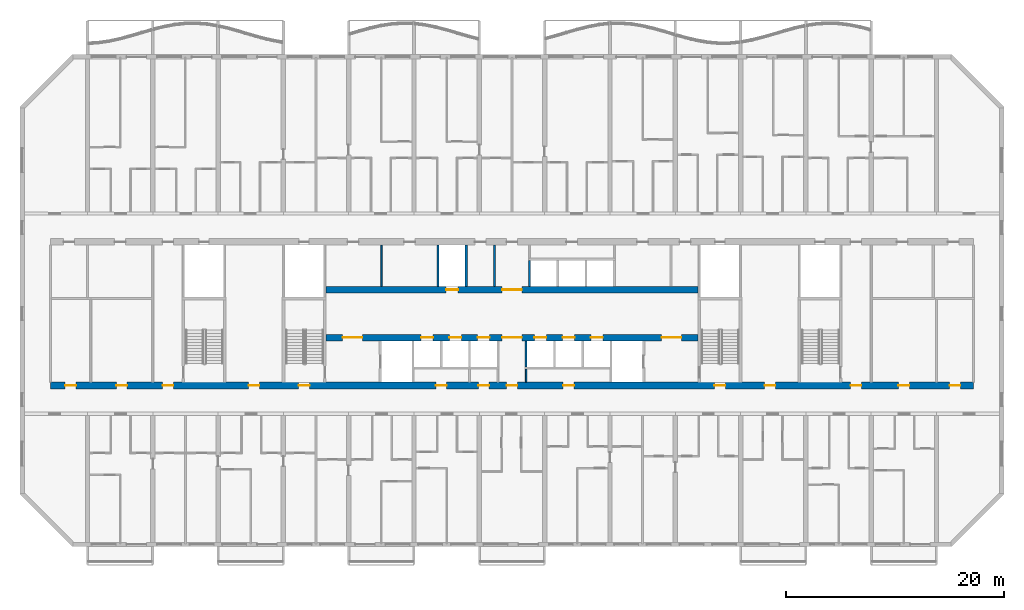
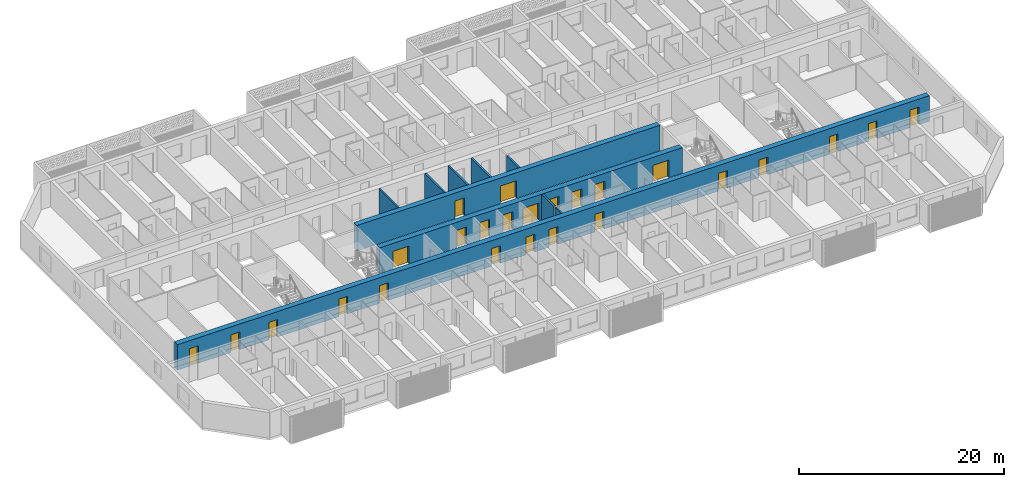
# One storey, part 7 of 39: 25 doors, 10 walls, 25 openings.
"""IFC4 building model written with IfcOpenShell, lengths in metres."""

from ifc_helpers import new_model, si_unit, direction, frame, frame_2d, origin, place, context, subcontext, project, spatial, rectangle, extrude, material, layer, layer_set, type_object, element, fill, save


model = new_model("IFC4")

# Units and contexts
model_context = context("Model", 3, precision=1e-05, world=origin(), true_north=direction((0.0, 1.0)))
body_context = subcontext(model_context, "Body", "Model", "MODEL_VIEW")
ifc_project = project(units=[si_unit("LENGTHUNIT", "METRE"), si_unit("AREAUNIT", "SQUARE_METRE"), si_unit("VOLUMEUNIT", "CUBIC_METRE"), si_unit("PLANEANGLEUNIT", "RADIAN"), si_unit("MASSUNIT", "GRAM", prefix="KILO")], contexts=[model_context])

# Site, building, storey
site_placement = place(None, origin())
site = spatial("IfcSite", under=ifc_project, at=site_placement, CompositionType="ELEMENT")
building_placement = place(site_placement, origin())
building = spatial("IfcBuilding", under=site, at=building_placement, Name="Poui Terraces", CompositionType="ELEMENT")
storey_placement = place(building_placement, frame((0.0, 0.0, 59.699951171875)))
storey = spatial("IfcBuildingStorey", under=building, at=storey_placement, Name="L16", CompositionType="ELEMENT", Elevation=59.699951171875)

# Wall, openings, doors
ifc_material_1 = material(Name="Concrete 80 MPa", Category="concrete")
ifc_layer_1 = layer(ifc_material_1, 0.60009765625)
ifc_layer_set_1 = layer_set([ifc_layer_1], Name="Concrete 80 MPa")
wall_type_1 = type_object("IfcWallType", Name="CORE WALL 600 80 MPA", PredefinedType="SOLIDWALL", material=ifc_layer_set_1)
wall_1_placement = place(storey_placement, frame((33.925048828125, 19.0, 0.0), z_axis=(0.0, 0.0, 1.0), x_axis=(1.0, 0.0, 0.0)))
wall_1 = element("IfcWall", 1, at=wall_1_placement, inside=storey, type_object=wall_type_1, Name="CORE WALL", PredefinedType="SOLIDWALL", context=body_context, shape_type="SweptSolid", body=[
    extrude(rectangle(XDim=34.14990234375, YDim=0.60009765625, at=frame_2d((17.074951171875, 0.0))), origin(), (0.0, 0.0, 1.0), 3.050048828125),
])
opening_1_placement = place(wall_1_placement, frame((16.175048828125, 0.0, 0.0)))
opening_1 = element("IfcOpeningElement", 2, at=opening_1_placement, cuts=wall_1, Name="Opening FDD60", PredefinedType="OPENING", context=body_context, shape_type="SweptSolid", body=[
    extrude(rectangle(XDim=1.800048828125, YDim=2.10009765625, at=frame_2d((0.89990234375, 1.050048828125))), frame((0.0, 0.31005859375, 0.0), z_axis=(0.0, -1.0, 0.0), x_axis=(1.0, 0.0, 0.0)), (0.0, 0.0, 1.0), 0.6201171875),
])
opening_2_placement = place(wall_1_placement, frame((1.52490234375, 0.0, 0.0)))
opening_2 = element("IfcOpeningElement", 3, at=opening_2_placement, cuts=wall_1, Name="Opening FDD60", PredefinedType="OPENING", context=body_context, shape_type="SweptSolid", body=[
    extrude(rectangle(XDim=1.800048828125, YDim=2.10009765625, at=frame_2d((0.89990234375, 1.050048828125))), frame((0.0, 0.31005859375, 0.0), z_axis=(0.0, -1.0, 0.0), x_axis=(1.0, 0.0, 0.0)), (0.0, 0.0, 1.0), 0.6201171875),
])
opening_3_placement = place(wall_1_placement, frame((8.72509765625, 0.0, 0.0)))
opening_3 = element("IfcOpeningElement", 4, at=opening_3_placement, cuts=wall_1, Name="Opening LD", PredefinedType="OPENING", context=body_context, shape_type="SweptSolid", body=[
    extrude(rectangle(XDim=1.10009765625, YDim=2.10009765625, at=frame_2d((0.550048828125, 1.050048828125))), frame((0.0, 0.31005859375, 0.0), z_axis=(0.0, -1.0, 0.0), x_axis=(1.0, 0.0, 0.0)), (0.0, 0.0, 1.0), 0.6201171875),
])
opening_4_placement = place(wall_1_placement, frame((11.324951171875, 0.0, 0.0)))
opening_4 = element("IfcOpeningElement", 5, at=opening_4_placement, cuts=wall_1, Name="Opening LD", PredefinedType="OPENING", context=body_context, shape_type="SweptSolid", body=[
    extrude(rectangle(XDim=1.10009765625, YDim=2.10009765625, at=frame_2d((0.550048828125, 1.050048828125))), frame((0.0, 0.31005859375, 0.0), z_axis=(0.0, -1.0, 0.0), x_axis=(1.0, 0.0, 0.0)), (0.0, 0.0, 1.0), 0.6201171875),
])
opening_5_placement = place(wall_1_placement, frame((13.925048828125, 0.0, 0.0)))
opening_5 = element("IfcOpeningElement", 6, at=opening_5_placement, cuts=wall_1, Name="Opening LD", PredefinedType="OPENING", context=body_context, shape_type="SweptSolid", body=[
    extrude(rectangle(XDim=1.10009765625, YDim=2.10009765625, at=frame_2d((0.550048828125, 1.050048828125))), frame((0.0, 0.31005859375, 0.0), z_axis=(0.0, -1.0, 0.0), x_axis=(1.0, 0.0, 0.0)), (0.0, 0.0, 1.0), 0.6201171875),
])
opening_6_placement = place(wall_1_placement, frame((19.125, 0.0, 0.0)))
opening_6 = element("IfcOpeningElement", 7, at=opening_6_placement, cuts=wall_1, Name="Opening LD", PredefinedType="OPENING", context=body_context, shape_type="SweptSolid", body=[
    extrude(rectangle(XDim=1.10009765625, YDim=2.10009765625, at=frame_2d((0.550048828125, 1.050048828125))), frame((0.0, 0.31005859375, 0.0), z_axis=(0.0, -1.0, 0.0), x_axis=(1.0, 0.0, 0.0)), (0.0, 0.0, 1.0), 0.6201171875),
])
opening_7_placement = place(wall_1_placement, frame((21.72509765625, 0.0, 0.0)))
opening_7 = element("IfcOpeningElement", 8, at=opening_7_placement, cuts=wall_1, Name="Opening LD", PredefinedType="OPENING", context=body_context, shape_type="SweptSolid", body=[
    extrude(rectangle(XDim=1.10009765625, YDim=2.10009765625, at=frame_2d((0.550048828125, 1.050048828125))), frame((0.0, 0.31005859375, 0.0), z_axis=(0.0, -1.0, 0.0), x_axis=(1.0, 0.0, 0.0)), (0.0, 0.0, 1.0), 0.6201171875),
])
opening_8_placement = place(wall_1_placement, frame((24.324951171875, 0.0, 0.0)))
opening_8 = element("IfcOpeningElement", 9, at=opening_8_placement, cuts=wall_1, Name="Opening LD", PredefinedType="OPENING", context=body_context, shape_type="SweptSolid", body=[
    extrude(rectangle(XDim=1.10009765625, YDim=2.10009765625, at=frame_2d((0.550048828125, 1.050048828125))), frame((0.0, 0.31005859375, 0.0), z_axis=(0.0, -1.0, 0.0), x_axis=(1.0, 0.0, 0.0)), (0.0, 0.0, 1.0), 0.6201171875),
])
opening_9_placement = place(wall_1_placement, frame((30.824951171875, 0.0, 0.0)))
opening_9 = element("IfcOpeningElement", 10, at=opening_9_placement, cuts=wall_1, Name="Opening FDD60", PredefinedType="OPENING", context=body_context, shape_type="SweptSolid", body=[
    extrude(rectangle(XDim=1.800048828125, YDim=2.10009765625, at=frame_2d((0.89990234375, 1.050048828125))), frame((0.0, 0.31005859375, 0.0), z_axis=(0.0, -1.0, 0.0), x_axis=(1.0, 0.0, 0.0)), (0.0, 0.0, 1.0), 0.6201171875),
])
ifc_material_2 = material(Name="Steel fire door", Category="steel")
door_type_1 = type_object("IfcDoorType", Name="DOUBLE LOBBY FIRE DOOR 1800 X 2100", OperationType="DOUBLE_DOOR_SINGLE_SWING", PredefinedType="DOOR", material=ifc_material_2)
door_1_placement = place(opening_1_placement, frame((1.800048828125, 0.0, 0.0), z_axis=(0.0, 0.0, 1.0), x_axis=(-1.0, 0.0, 0.0)))
door_1 = element("IfcDoor", 11, at=door_1_placement, inside=storey, type_object=door_type_1, Name="DOUBLE LOBBY FIRE DOOR 140", OperationType="DOUBLE_DOOR_SINGLE_SWING", OverallHeight=2.10009765625, OverallWidth=1.800048828125, PredefinedType="DOOR", context=body_context, shape_type="SweptSolid", body=[
    extrude(rectangle(XDim=1.800048828125, YDim=2.10009765625, at=frame_2d((0.89990234375, 1.050048828125))), frame((0.0, 0.02490234375, 0.0), z_axis=(0.0, -1.0, 0.0), x_axis=(1.0, 0.0, 0.0)), (0.0, 0.0, 1.0), 0.050048828125),
])
fill(opening_1, door_1)
door_2_placement = place(opening_2_placement, origin())
door_2 = element("IfcDoor", 12, at=door_2_placement, inside=storey, type_object=door_type_1, Name="DOUBLE LOBBY FIRE DOOR 141", OperationType="DOUBLE_DOOR_SINGLE_SWING", OverallHeight=2.10009765625, OverallWidth=1.800048828125, PredefinedType="DOOR", context=body_context, shape_type="SweptSolid", body=[
    extrude(rectangle(XDim=1.800048828125, YDim=2.10009765625, at=frame_2d((0.89990234375, 1.050048828125))), frame((0.0, 0.02490234375, 0.0), z_axis=(0.0, -1.0, 0.0), x_axis=(1.0, 0.0, 0.0)), (0.0, 0.0, 1.0), 0.050048828125),
])
fill(opening_2, door_2)
door_3_placement = place(opening_9_placement, origin())
door_3 = element("IfcDoor", 13, at=door_3_placement, inside=storey, type_object=door_type_1, Name="DOUBLE LOBBY FIRE DOOR 149", OperationType="DOUBLE_DOOR_SINGLE_SWING", OverallHeight=2.10009765625, OverallWidth=1.800048828125, PredefinedType="DOOR", context=body_context, shape_type="SweptSolid", body=[
    extrude(rectangle(XDim=1.800048828125, YDim=2.10009765625, at=frame_2d((0.89990234375, 1.050048828125))), frame((0.0, 0.02490234375, 0.0), z_axis=(0.0, -1.0, 0.0), x_axis=(1.0, 0.0, 0.0)), (0.0, 0.0, 1.0), 0.050048828125),
])
fill(opening_9, door_3)
ifc_material_3 = material(Name="Stainless steel sliding door", Category="steel")
door_type_2 = type_object("IfcDoorType", Name="LIFT LANDING DOOR 1100 X 2100", OperationType="DOUBLE_DOOR_SLIDING", PredefinedType="DOOR", material=ifc_material_3)
door_4_placement = place(opening_3_placement, origin())
door_4 = element("IfcDoor", 14, at=door_4_placement, inside=storey, type_object=door_type_2, Name="LANDING DOOR", OperationType="DOUBLE_DOOR_SLIDING", OverallHeight=2.10009765625, OverallWidth=1.10009765625, PredefinedType="DOOR", context=body_context, shape_type="SweptSolid", body=[
    extrude(rectangle(XDim=1.10009765625, YDim=2.10009765625, at=frame_2d((0.550048828125, 1.050048828125))), frame((0.0, 0.02490234375, 0.0), z_axis=(0.0, -1.0, 0.0), x_axis=(1.0, 0.0, 0.0)), (0.0, 0.0, 1.0), 0.050048828125),
])
fill(opening_3, door_4)
door_5_placement = place(opening_4_placement, origin())
door_5 = element("IfcDoor", 15, at=door_5_placement, inside=storey, type_object=door_type_2, Name="LANDING DOOR", OperationType="DOUBLE_DOOR_SLIDING", OverallHeight=2.10009765625, OverallWidth=1.10009765625, PredefinedType="DOOR", context=body_context, shape_type="SweptSolid", body=[
    extrude(rectangle(XDim=1.10009765625, YDim=2.10009765625, at=frame_2d((0.550048828125, 1.050048828125))), frame((0.0, 0.02490234375, 0.0), z_axis=(0.0, -1.0, 0.0), x_axis=(1.0, 0.0, 0.0)), (0.0, 0.0, 1.0), 0.050048828125),
])
fill(opening_4, door_5)
door_6_placement = place(opening_5_placement, origin())
door_6 = element("IfcDoor", 16, at=door_6_placement, inside=storey, type_object=door_type_2, Name="LANDING DOOR", OperationType="DOUBLE_DOOR_SLIDING", OverallHeight=2.10009765625, OverallWidth=1.10009765625, PredefinedType="DOOR", context=body_context, shape_type="SweptSolid", body=[
    extrude(rectangle(XDim=1.10009765625, YDim=2.10009765625, at=frame_2d((0.550048828125, 1.050048828125))), frame((0.0, 0.02490234375, 0.0), z_axis=(0.0, -1.0, 0.0), x_axis=(1.0, 0.0, 0.0)), (0.0, 0.0, 1.0), 0.050048828125),
])
fill(opening_5, door_6)
door_7_placement = place(opening_6_placement, origin())
door_7 = element("IfcDoor", 17, at=door_7_placement, inside=storey, type_object=door_type_2, Name="LANDING DOOR", OperationType="DOUBLE_DOOR_SLIDING", OverallHeight=2.10009765625, OverallWidth=1.10009765625, PredefinedType="DOOR", context=body_context, shape_type="SweptSolid", body=[
    extrude(rectangle(XDim=1.10009765625, YDim=2.10009765625, at=frame_2d((0.550048828125, 1.050048828125))), frame((0.0, 0.02490234375, 0.0), z_axis=(0.0, -1.0, 0.0), x_axis=(1.0, 0.0, 0.0)), (0.0, 0.0, 1.0), 0.050048828125),
])
fill(opening_6, door_7)
door_8_placement = place(opening_7_placement, origin())
door_8 = element("IfcDoor", 18, at=door_8_placement, inside=storey, type_object=door_type_2, Name="LANDING DOOR", OperationType="DOUBLE_DOOR_SLIDING", OverallHeight=2.10009765625, OverallWidth=1.10009765625, PredefinedType="DOOR", context=body_context, shape_type="SweptSolid", body=[
    extrude(rectangle(XDim=1.10009765625, YDim=2.10009765625, at=frame_2d((0.550048828125, 1.050048828125))), frame((0.0, 0.02490234375, 0.0), z_axis=(0.0, -1.0, 0.0), x_axis=(1.0, 0.0, 0.0)), (0.0, 0.0, 1.0), 0.050048828125),
])
fill(opening_7, door_8)
door_9_placement = place(opening_8_placement, origin())
door_9 = element("IfcDoor", 19, at=door_9_placement, inside=storey, type_object=door_type_2, Name="LANDING DOOR", OperationType="DOUBLE_DOOR_SLIDING", OverallHeight=2.10009765625, OverallWidth=1.10009765625, PredefinedType="DOOR", context=body_context, shape_type="SweptSolid", body=[
    extrude(rectangle(XDim=1.10009765625, YDim=2.10009765625, at=frame_2d((0.550048828125, 1.050048828125))), frame((0.0, 0.02490234375, 0.0), z_axis=(0.0, -1.0, 0.0), x_axis=(1.0, 0.0, 0.0)), (0.0, 0.0, 1.0), 0.050048828125),
])
fill(opening_8, door_9)

wall_2_placement = place(storey_placement, frame((33.925048828125, 23.39990234375, 0.0), z_axis=(0.0, 0.0, 1.0), x_axis=(1.0, 0.0, 0.0)))
wall_2 = element("IfcWall", 20, at=wall_2_placement, inside=storey, type_object=wall_type_1, Name="CORE WALL", PredefinedType="SOLIDWALL", context=body_context, shape_type="SweptSolid", body=[
    extrude(rectangle(XDim=34.14990234375, YDim=0.60009765625, at=frame_2d((17.074951171875, 0.0))), origin(), (0.0, 0.0, 1.0), 3.050048828125),
])
opening_10_placement = place(wall_2_placement, frame((16.175048828125, 0.0, 0.0)))
opening_10 = element("IfcOpeningElement", 21, at=opening_10_placement, cuts=wall_2, Name="Opening FDD60", PredefinedType="OPENING", context=body_context, shape_type="SweptSolid", body=[
    extrude(rectangle(XDim=1.800048828125, YDim=2.10009765625, at=frame_2d((0.89990234375, 1.050048828125))), frame((0.0, 0.31005859375, 0.0), z_axis=(0.0, -1.0, 0.0), x_axis=(1.0, 0.0, 0.0)), (0.0, 0.0, 1.0), 0.6201171875),
])
opening_11_placement = place(wall_2_placement, frame((11.02490234375, 0.0, 0.0)))
opening_11 = element("IfcOpeningElement", 22, at=opening_11_placement, cuts=wall_2, Name="Opening LD", PredefinedType="OPENING", context=body_context, shape_type="SweptSolid", body=[
    extrude(rectangle(XDim=1.10009765625, YDim=2.10009765625, at=frame_2d((0.550048828125, 1.050048828125))), frame((0.0, 0.31005859375, 0.0), z_axis=(0.0, -1.0, 0.0), x_axis=(1.0, 0.0, 0.0)), (0.0, 0.0, 1.0), 0.6201171875),
])
door_10_placement = place(opening_10_placement, origin())
door_10 = element("IfcDoor", 23, at=door_10_placement, inside=storey, type_object=door_type_1, Name="DOUBLE LOBBY FIRE DOOR 139", OperationType="DOUBLE_DOOR_SINGLE_SWING", OverallHeight=2.10009765625, OverallWidth=1.800048828125, PredefinedType="DOOR", context=body_context, shape_type="SweptSolid", body=[
    extrude(rectangle(XDim=1.800048828125, YDim=2.10009765625, at=frame_2d((0.89990234375, 1.050048828125))), frame((0.0, 0.02490234375, 0.0), z_axis=(0.0, -1.0, 0.0), x_axis=(1.0, 0.0, 0.0)), (0.0, 0.0, 1.0), 0.050048828125),
])
fill(opening_10, door_10)
door_11_placement = place(opening_11_placement, origin())
door_11 = element("IfcDoor", 24, at=door_11_placement, inside=storey, type_object=door_type_2, Name="LANDING DOOR", OperationType="DOUBLE_DOOR_SLIDING", OverallHeight=2.10009765625, OverallWidth=1.10009765625, PredefinedType="DOOR", context=body_context, shape_type="SweptSolid", body=[
    extrude(rectangle(XDim=1.10009765625, YDim=2.10009765625, at=frame_2d((0.550048828125, 1.050048828125))), frame((0.0, 0.02490234375, 0.0), z_axis=(0.0, -1.0, 0.0), x_axis=(1.0, 0.0, 0.0)), (0.0, 0.0, 1.0), 0.050048828125),
])
fill(opening_11, door_11)

# Walls
ifc_material_4 = material(Name="Fire-rated plasterboard wall")
ifc_layer_2 = layer(ifc_material_4, 0.14990234375)
ifc_layer_set_2 = layer_set([ifc_layer_2], Name="Fire-rated plasterboard wall")
wall_type_2 = type_object("IfcWallType", Name="CORRIDOR WALL 150", PredefinedType="PARTITIONING", material=ifc_layer_set_2)
wall_3_placement = place(storey_placement, frame((52.300048828125, 14.909912109375, 0.0), z_axis=(0.0, 0.0, 1.0), x_axis=(0.0, 1.0, 0.0)))
element("IfcWall", 25, at=wall_3_placement, inside=storey, type_object=wall_type_2, Name="CORRIDOR WALL 150", PredefinedType="PARTITIONING", context=body_context, shape_type="SweptSolid", body=[
    extrude(rectangle(XDim=1.190185546875, YDim=0.14990234375, at=frame_2d((0.59521484375, 0.0))), origin(), (0.0, 0.0, 1.0), 3.050048828125),
])
ifc_material_5 = material(Name="Plasterboard partition")
ifc_layer_3 = layer(ifc_material_5, 0.14990234375)
ifc_layer_set_3 = layer_set([ifc_layer_3], Name="Plasterboard partition")
wall_type_3 = type_object("IfcWallType", Name="PARTITION WALL 150", PredefinedType="PARTITIONING", material=ifc_layer_set_3)
wall_4_placement = place(storey_placement, frame((39.0, 23.7099609375, 0.0), z_axis=(0.0, 0.0, 1.0), x_axis=(0.0, 1.0, 0.0)))
element("IfcWall", 26, at=wall_4_placement, inside=storey, type_object=wall_type_3, Name="PARTITION WALL 150", PredefinedType="PARTITIONING", context=body_context, shape_type="SweptSolid", body=[
    extrude(rectangle(XDim=3.780029296875, YDim=0.14990234375, at=frame_2d((1.89013671875, 0.0))), origin(), (0.0, 0.0, 1.0), 3.050048828125),
])
ifc_material_6 = material(Name="Fire-rated masonry wall", Category="masonry")
ifc_layer_4 = layer(ifc_material_6, 0.199951171875)
ifc_layer_set_4 = layer_set([ifc_layer_4], Name="Fire-rated masonry wall")
wall_type_4 = type_object("IfcWallType", Name="PLANT ROOM WALL 200", PredefinedType="PARTITIONING", material=ifc_layer_set_4)
wall_5_placement = place(storey_placement, frame((49.39990234375, 23.7099609375, 0.0), z_axis=(0.0, 0.0, 1.0), x_axis=(0.0, 1.0, 0.0)))
element("IfcWall", 27, at=wall_5_placement, inside=storey, type_object=wall_type_4, Name="PLANT ROOM WALL 200", PredefinedType="PARTITIONING", context=body_context, shape_type="SweptSolid", body=[
    extrude(rectangle(XDim=3.780029296875, YDim=0.199951171875, at=frame_2d((1.89013671875, 0.0))), origin(), (0.0, 0.0, 1.0), 3.050048828125),
])
ifc_material_7 = material(Name="Fire-rated masonry shaft wall", Category="masonry")
ifc_layer_5 = layer(ifc_material_7, 0.199951171875)
ifc_layer_set_5 = layer_set([ifc_layer_5], Name="Fire-rated masonry shaft wall")
wall_type_5 = type_object("IfcWallType", Name="SHAFT WALL 200", PredefinedType="PARTITIONING", material=ifc_layer_set_5)
for number, where, z_axis, x_axis, name in (
    (28, (44.199951171875, 23.7099609375, 0.0), (0.0, 0.0, 1.0), (0.0, 1.0, 0.0), "SHAFT WALL 200"),
    (29, (46.800048828125, 23.7099609375, 0.0), (0.0, 0.0, 1.0), (0.0, 1.0, 0.0), "SHAFT WALL 200"),
):
    element("IfcWall", number, at=place(storey_placement, frame(where, z_axis=z_axis, x_axis=x_axis)), inside=storey, type_object=wall_type_5, Name=name, PredefinedType="PARTITIONING", context=body_context, shape_type="SweptSolid", body=[
        extrude(rectangle(XDim=3.780029296875, YDim=0.199951171875, at=frame_2d((1.89013671875, 0.0))), origin(), (0.0, 0.0, 1.0), 3.050048828125),
    ])
wall_6_placement = place(storey_placement, frame((52.300048828125, 16.300048828125, 0.0), z_axis=(0.0, 0.0, 1.0), x_axis=(0.0, 1.0, 0.0)))
element("IfcWall", 30, at=wall_6_placement, inside=storey, type_object=wall_type_5, Name="SHAFT WALL 200", PredefinedType="PARTITIONING", context=body_context, shape_type="SweptSolid", body=[
    extrude(rectangle(XDim=2.389892578125, YDim=0.199951171875, at=frame_2d((1.19482421875, 0.0))), origin(), (0.0, 0.0, 1.0), 3.050048828125),
])
wall_7_placement = place(storey_placement, frame((52.60009765625, 23.7099609375, 0.0), z_axis=(0.0, 0.0, 1.0), x_axis=(0.0, 1.0, 0.0)))
element("IfcWall", 31, at=wall_7_placement, inside=storey, type_object=wall_type_5, Name="SHAFT WALL 200", PredefinedType="PARTITIONING", context=body_context, shape_type="SweptSolid", body=[
    extrude(rectangle(XDim=2.39013671875, YDim=0.199951171875, at=frame_2d((1.195068359375, 0.0))), origin(), (0.0, 0.0, 1.0), 3.050048828125),
])

# Wall, openings, doors
ifc_layer_6 = layer(ifc_material_1, 0.60009765625)
ifc_layer_set_6 = layer_set([ifc_layer_6], Name="Concrete 80 MPa")
wall_type_6 = type_object("IfcWallType", Name="SPINE WALL 600 80 MPA", PredefinedType="SOLIDWALL", material=ifc_layer_set_6)
wall_8_placement = place(storey_placement, frame((8.60009765625, 14.60009765625, 0.0), z_axis=(0.0, 0.0, 1.0), x_axis=(1.0, 0.0, 0.0)))
wall_8 = element("IfcWall", 32, at=wall_8_placement, inside=storey, type_object=wall_type_6, Name="SPINE WALL", PredefinedType="SOLIDWALL", context=body_context, shape_type="SweptSolid", body=[
    extrude(rectangle(XDim=84.7998046875, YDim=0.60009765625, at=frame_2d((42.39990234375, 0.0))), origin(), (0.0, 0.0, 1.0), 3.050048828125),
])
opening_12_placement = place(wall_8_placement, frame((1.35009765625, 0.0, 0.0)))
opening_12 = element("IfcOpeningElement", 33, at=opening_12_placement, cuts=wall_8, Name="Opening D100", PredefinedType="OPENING", context=body_context, shape_type="SweptSolid", body=[
    extrude(rectangle(XDim=1.0, YDim=2.10009765625, at=frame_2d((0.5, 1.050048828125))), frame((0.0, 0.31005859375, 0.0), z_axis=(0.0, -1.0, 0.0), x_axis=(1.0, 0.0, 0.0)), (0.0, 0.0, 1.0), 0.6201171875),
])
opening_13_placement = place(wall_8_placement, frame((6.050048828125, 0.0, 0.0)))
opening_13 = element("IfcOpeningElement", 34, at=opening_13_placement, cuts=wall_8, Name="Opening FD60", PredefinedType="OPENING", context=body_context, shape_type="SweptSolid", body=[
    extrude(rectangle(XDim=1.0, YDim=2.10009765625, at=frame_2d((0.5, 1.050048828125))), frame((0.0, 0.31005859375, 0.0), z_axis=(0.0, -1.0, 0.0), x_axis=(1.0, 0.0, 0.0)), (0.0, 0.0, 1.0), 0.6201171875),
])
opening_14_placement = place(wall_8_placement, frame((10.300048828125, 0.0, 0.0)))
opening_14 = element("IfcOpeningElement", 35, at=opening_14_placement, cuts=wall_8, Name="Opening FDL", PredefinedType="OPENING", context=body_context, shape_type="SweptSolid", body=[
    extrude(rectangle(XDim=1.0, YDim=2.10009765625, at=frame_2d((0.5, 1.050048828125))), frame((0.0, 0.31005859375, 0.0), z_axis=(0.0, -1.0, 0.0), x_axis=(1.0, 0.0, 0.0)), (0.0, 0.0, 1.0), 0.6201171875),
])
opening_15_placement = place(wall_8_placement, frame((18.199951171875, 0.0, 0.0)))
opening_15 = element("IfcOpeningElement", 36, at=opening_15_placement, cuts=wall_8, Name="Opening D100", PredefinedType="OPENING", context=body_context, shape_type="SweptSolid", body=[
    extrude(rectangle(XDim=1.0, YDim=2.10009765625, at=frame_2d((0.5, 1.050048828125))), frame((0.0, 0.31005859375, 0.0), z_axis=(0.0, -1.0, 0.0), x_axis=(1.0, 0.0, 0.0)), (0.0, 0.0, 1.0), 0.6201171875),
])
opening_16_placement = place(wall_8_placement, frame((22.800048828125, 0.0, 0.0)))
opening_16 = element("IfcOpeningElement", 37, at=opening_16_placement, cuts=wall_8, Name="Opening FD60S", PredefinedType="OPENING", context=body_context, shape_type="SweptSolid", body=[
    extrude(rectangle(XDim=1.0, YDim=2.10009765625, at=frame_2d((0.5, 1.050048828125))), frame((0.0, 0.31005859375, 0.0), z_axis=(0.0, -1.0, 0.0), x_axis=(1.0, 0.0, 0.0)), (0.0, 0.0, 1.0), 0.6201171875),
])
opening_17_placement = place(wall_8_placement, frame((35.39990234375, 0.0, 0.0)))
opening_17 = element("IfcOpeningElement", 38, at=opening_17_placement, cuts=wall_8, Name="Opening FD60", PredefinedType="OPENING", context=body_context, shape_type="SweptSolid", body=[
    extrude(rectangle(XDim=1.0, YDim=2.10009765625, at=frame_2d((0.5, 1.050048828125))), frame((0.0, 0.31005859375, 0.0), z_axis=(0.0, -1.0, 0.0), x_axis=(1.0, 0.0, 0.0)), (0.0, 0.0, 1.0), 0.6201171875),
])
opening_18_placement = place(wall_8_placement, frame((39.300048828125, 0.0, 0.0)))
opening_18 = element("IfcOpeningElement", 39, at=opening_18_placement, cuts=wall_8, Name="Opening FD60", PredefinedType="OPENING", context=body_context, shape_type="SweptSolid", body=[
    extrude(rectangle(XDim=1.0, YDim=2.10009765625, at=frame_2d((0.5, 1.050048828125))), frame((0.0, 0.31005859375, 0.0), z_axis=(0.0, -1.0, 0.0), x_axis=(1.0, 0.0, 0.0)), (0.0, 0.0, 1.0), 0.6201171875),
])
opening_19_placement = place(wall_8_placement, frame((41.89990234375, 0.0, 0.0)))
opening_19 = element("IfcOpeningElement", 40, at=opening_19_placement, cuts=wall_8, Name="Opening FDL", PredefinedType="OPENING", context=body_context, shape_type="SweptSolid", body=[
    extrude(rectangle(XDim=1.0, YDim=2.10009765625, at=frame_2d((0.5, 1.050048828125))), frame((0.0, 0.31005859375, 0.0), z_axis=(0.0, -1.0, 0.0), x_axis=(1.0, 0.0, 0.0)), (0.0, 0.0, 1.0), 0.6201171875),
])
opening_20_placement = place(wall_8_placement, frame((47.10009765625, 0.0, 0.0)))
opening_20 = element("IfcOpeningElement", 41, at=opening_20_placement, cuts=wall_8, Name="Opening FD60", PredefinedType="OPENING", context=body_context, shape_type="SweptSolid", body=[
    extrude(rectangle(XDim=1.0, YDim=2.10009765625, at=frame_2d((0.5, 1.050048828125))), frame((0.0, 0.31005859375, 0.0), z_axis=(0.0, -1.0, 0.0), x_axis=(1.0, 0.0, 0.0)), (0.0, 0.0, 1.0), 0.6201171875),
])
opening_21_placement = place(wall_8_placement, frame((61.0, 0.0, 0.0)))
opening_21 = element("IfcOpeningElement", 42, at=opening_21_placement, cuts=wall_8, Name="Opening FD60S", PredefinedType="OPENING", context=body_context, shape_type="SweptSolid", body=[
    extrude(rectangle(XDim=1.0, YDim=2.10009765625, at=frame_2d((0.5, 1.050048828125))), frame((0.0, 0.31005859375, 0.0), z_axis=(0.0, -1.0, 0.0), x_axis=(1.0, 0.0, 0.0)), (0.0, 0.0, 1.0), 0.6201171875),
])
opening_22_placement = place(wall_8_placement, frame((65.60009765625, 0.0, 0.0)))
opening_22 = element("IfcOpeningElement", 43, at=opening_22_placement, cuts=wall_8, Name="Opening D100", PredefinedType="OPENING", context=body_context, shape_type="SweptSolid", body=[
    extrude(rectangle(XDim=1.0, YDim=2.10009765625, at=frame_2d((0.5, 1.050048828125))), frame((0.0, 0.31005859375, 0.0), z_axis=(0.0, -1.0, 0.0), x_axis=(1.0, 0.0, 0.0)), (0.0, 0.0, 1.0), 0.6201171875),
])
opening_23_placement = place(wall_8_placement, frame((73.5, 0.0, 0.0)))
opening_23 = element("IfcOpeningElement", 44, at=opening_23_placement, cuts=wall_8, Name="Opening FDL", PredefinedType="OPENING", context=body_context, shape_type="SweptSolid", body=[
    extrude(rectangle(XDim=1.0, YDim=2.10009765625, at=frame_2d((0.5, 1.050048828125))), frame((0.0, 0.31005859375, 0.0), z_axis=(0.0, -1.0, 0.0), x_axis=(1.0, 0.0, 0.0)), (0.0, 0.0, 1.0), 0.6201171875),
])
opening_24_placement = place(wall_8_placement, frame((77.89990234375, 0.0, 0.0)))
opening_24 = element("IfcOpeningElement", 45, at=opening_24_placement, cuts=wall_8, Name="Opening D100", PredefinedType="OPENING", context=body_context, shape_type="SweptSolid", body=[
    extrude(rectangle(XDim=1.0, YDim=2.10009765625, at=frame_2d((0.5, 1.050048828125))), frame((0.0, 0.31005859375, 0.0), z_axis=(0.0, -1.0, 0.0), x_axis=(1.0, 0.0, 0.0)), (0.0, 0.0, 1.0), 0.6201171875),
])
opening_25_placement = place(wall_8_placement, frame((82.60009765625, 0.0, 0.0)))
opening_25 = element("IfcOpeningElement", 46, at=opening_25_placement, cuts=wall_8, Name="Opening FD60", PredefinedType="OPENING", context=body_context, shape_type="SweptSolid", body=[
    extrude(rectangle(XDim=1.0, YDim=2.10009765625, at=frame_2d((0.5, 1.050048828125))), frame((0.0, 0.31005859375, 0.0), z_axis=(0.0, -1.0, 0.0), x_axis=(1.0, 0.0, 0.0)), (0.0, 0.0, 1.0), 0.6201171875),
])
ifc_material_8 = material(Name="Solid core timber door", Category="wood")
door_type_3 = type_object("IfcDoorType", Name="ACCESSIBLE INTERNAL DOOR 1000 X 2100", OperationType="NOTDEFINED", PredefinedType="DOOR", material=ifc_material_8)
door_12_placement = place(opening_12_placement, frame((1.0, 0.0, 0.0), z_axis=(0.0, 0.0, 1.0), x_axis=(-1.0, 0.0, 0.0)))
door_12 = element("IfcDoor", 47, at=door_12_placement, inside=storey, type_object=door_type_3, Name="ACCESSIBLE INTERNAL DOOR 018", OperationType="SINGLE_SWING_RIGHT", OverallHeight=2.10009765625, OverallWidth=1.0, PredefinedType="DOOR", context=body_context, shape_type="SweptSolid", body=[
    extrude(rectangle(XDim=1.0, YDim=2.10009765625, at=frame_2d((0.5, 1.050048828125))), frame((0.0, 0.02490234375, 0.0), z_axis=(0.0, -1.0, 0.0), x_axis=(1.0, 0.0, 0.0)), (0.0, 0.0, 1.0), 0.050048828125),
])
fill(opening_12, door_12)
door_13_placement = place(opening_15_placement, frame((1.0, 0.0, 0.0), z_axis=(0.0, 0.0, 1.0), x_axis=(-1.0, 0.0, 0.0)))
door_13 = element("IfcDoor", 48, at=door_13_placement, inside=storey, type_object=door_type_3, Name="ACCESSIBLE INTERNAL DOOR 021", OperationType="SINGLE_SWING_RIGHT", OverallHeight=2.10009765625, OverallWidth=1.0, PredefinedType="DOOR", context=body_context, shape_type="SweptSolid", body=[
    extrude(rectangle(XDim=1.0, YDim=2.10009765625, at=frame_2d((0.5, 1.050048828125))), frame((0.0, 0.02490234375, 0.0), z_axis=(0.0, -1.0, 0.0), x_axis=(1.0, 0.0, 0.0)), (0.0, 0.0, 1.0), 0.050048828125),
])
fill(opening_15, door_13)
door_14_placement = place(opening_22_placement, frame((1.0, 0.0, 0.0), z_axis=(0.0, 0.0, 1.0), x_axis=(-1.0, 0.0, 0.0)))
door_14 = element("IfcDoor", 49, at=door_14_placement, inside=storey, type_object=door_type_3, Name="ACCESSIBLE INTERNAL DOOR 028", OperationType="SINGLE_SWING_LEFT", OverallHeight=2.10009765625, OverallWidth=1.0, PredefinedType="DOOR", context=body_context, shape_type="SweptSolid", body=[
    extrude(rectangle(XDim=1.0, YDim=2.10009765625, at=frame_2d((0.5, 1.050048828125))), frame((0.0, 0.02490234375, 0.0), z_axis=(0.0, -1.0, 0.0), x_axis=(1.0, 0.0, 0.0)), (0.0, 0.0, 1.0), 0.050048828125),
])
fill(opening_22, door_14)
door_15_placement = place(opening_24_placement, frame((1.0, 0.0, 0.0), z_axis=(0.0, 0.0, 1.0), x_axis=(-1.0, 0.0, 0.0)))
door_15 = element("IfcDoor", 50, at=door_15_placement, inside=storey, type_object=door_type_3, Name="ACCESSIBLE INTERNAL DOOR 030", OperationType="SINGLE_SWING_RIGHT", OverallHeight=2.10009765625, OverallWidth=1.0, PredefinedType="DOOR", context=body_context, shape_type="SweptSolid", body=[
    extrude(rectangle(XDim=1.0, YDim=2.10009765625, at=frame_2d((0.5, 1.050048828125))), frame((0.0, 0.02490234375, 0.0), z_axis=(0.0, -1.0, 0.0), x_axis=(1.0, 0.0, 0.0)), (0.0, 0.0, 1.0), 0.050048828125),
])
fill(opening_24, door_15)
door_type_4 = type_object("IfcDoorType", Name="LOBBY FIRE DOOR 1000 X 2100", OperationType="NOTDEFINED", PredefinedType="DOOR", material=ifc_material_2)
door_16_placement = place(opening_14_placement, frame((1.0, 0.0, 0.0), z_axis=(0.0, 0.0, 1.0), x_axis=(-1.0, 0.0, 0.0)))
door_16 = element("IfcDoor", 51, at=door_16_placement, inside=storey, type_object=door_type_4, Name="LOBBY FIRE DOOR 020", OperationType="SINGLE_SWING_RIGHT", OverallHeight=2.10009765625, OverallWidth=1.0, PredefinedType="DOOR", context=body_context, shape_type="SweptSolid", body=[
    extrude(rectangle(XDim=1.0, YDim=2.10009765625, at=frame_2d((0.5, 1.050048828125))), frame((0.0, 0.02490234375, 0.0), z_axis=(0.0, -1.0, 0.0), x_axis=(1.0, 0.0, 0.0)), (0.0, 0.0, 1.0), 0.050048828125),
])
fill(opening_14, door_16)
door_17_placement = place(opening_19_placement, frame((1.0, 0.0, 0.0), z_axis=(0.0, 0.0, 1.0), x_axis=(-1.0, 0.0, 0.0)))
door_17 = element("IfcDoor", 52, at=door_17_placement, inside=storey, type_object=door_type_4, Name="LOBBY FIRE DOOR 025", OperationType="SINGLE_SWING_LEFT", OverallHeight=2.10009765625, OverallWidth=1.0, PredefinedType="DOOR", context=body_context, shape_type="SweptSolid", body=[
    extrude(rectangle(XDim=1.0, YDim=2.10009765625, at=frame_2d((0.5, 1.050048828125))), frame((0.0, 0.02490234375, 0.0), z_axis=(0.0, -1.0, 0.0), x_axis=(1.0, 0.0, 0.0)), (0.0, 0.0, 1.0), 0.050048828125),
])
fill(opening_19, door_17)
door_18_placement = place(opening_23_placement, frame((1.0, 0.0, 0.0), z_axis=(0.0, 0.0, 1.0), x_axis=(-1.0, 0.0, 0.0)))
door_18 = element("IfcDoor", 53, at=door_18_placement, inside=storey, type_object=door_type_4, Name="LOBBY FIRE DOOR 029", OperationType="SINGLE_SWING_LEFT", OverallHeight=2.10009765625, OverallWidth=1.0, PredefinedType="DOOR", context=body_context, shape_type="SweptSolid", body=[
    extrude(rectangle(XDim=1.0, YDim=2.10009765625, at=frame_2d((0.5, 1.050048828125))), frame((0.0, 0.02490234375, 0.0), z_axis=(0.0, -1.0, 0.0), x_axis=(1.0, 0.0, 0.0)), (0.0, 0.0, 1.0), 0.050048828125),
])
fill(opening_23, door_18)
door_type_5 = type_object("IfcDoorType", Name="SERVICE ROOM FIRE DOOR 1000 X 2100", OperationType="NOTDEFINED", PredefinedType="DOOR", material=ifc_material_2)
door_19_placement = place(opening_13_placement, frame((1.0, 0.0, 0.0), z_axis=(0.0, 0.0, 1.0), x_axis=(-1.0, 0.0, 0.0)))
door_19 = element("IfcDoor", 54, at=door_19_placement, inside=storey, type_object=door_type_5, Name="SERVICE ROOM FIRE DOOR 019", OperationType="SINGLE_SWING_LEFT", OverallHeight=2.10009765625, OverallWidth=1.0, PredefinedType="DOOR", context=body_context, shape_type="SweptSolid", body=[
    extrude(rectangle(XDim=1.0, YDim=2.10009765625, at=frame_2d((0.5, 1.050048828125))), frame((0.0, 0.02490234375, 0.0), z_axis=(0.0, -1.0, 0.0), x_axis=(1.0, 0.0, 0.0)), (0.0, 0.0, 1.0), 0.050048828125),
])
fill(opening_13, door_19)
door_20_placement = place(opening_17_placement, frame((1.0, 0.0, 0.0), z_axis=(0.0, 0.0, 1.0), x_axis=(-1.0, 0.0, 0.0)))
door_20 = element("IfcDoor", 55, at=door_20_placement, inside=storey, type_object=door_type_5, Name="SERVICE ROOM FIRE DOOR 023", OperationType="SINGLE_SWING_LEFT", OverallHeight=2.10009765625, OverallWidth=1.0, PredefinedType="DOOR", context=body_context, shape_type="SweptSolid", body=[
    extrude(rectangle(XDim=1.0, YDim=2.10009765625, at=frame_2d((0.5, 1.050048828125))), frame((0.0, 0.02490234375, 0.0), z_axis=(0.0, -1.0, 0.0), x_axis=(1.0, 0.0, 0.0)), (0.0, 0.0, 1.0), 0.050048828125),
])
fill(opening_17, door_20)
door_21_placement = place(opening_18_placement, frame((1.0, 0.0, 0.0), z_axis=(0.0, 0.0, 1.0), x_axis=(-1.0, 0.0, 0.0)))
door_21 = element("IfcDoor", 56, at=door_21_placement, inside=storey, type_object=door_type_5, Name="SERVICE ROOM FIRE DOOR 024", OperationType="SINGLE_SWING_RIGHT", OverallHeight=2.10009765625, OverallWidth=1.0, PredefinedType="DOOR", context=body_context, shape_type="SweptSolid", body=[
    extrude(rectangle(XDim=1.0, YDim=2.10009765625, at=frame_2d((0.5, 1.050048828125))), frame((0.0, 0.02490234375, 0.0), z_axis=(0.0, -1.0, 0.0), x_axis=(1.0, 0.0, 0.0)), (0.0, 0.0, 1.0), 0.050048828125),
])
fill(opening_18, door_21)
door_22_placement = place(opening_20_placement, frame((1.0, 0.0, 0.0), z_axis=(0.0, 0.0, 1.0), x_axis=(-1.0, 0.0, 0.0)))
door_22 = element("IfcDoor", 57, at=door_22_placement, inside=storey, type_object=door_type_5, Name="SERVICE ROOM FIRE DOOR 026", OperationType="SINGLE_SWING_LEFT", OverallHeight=2.10009765625, OverallWidth=1.0, PredefinedType="DOOR", context=body_context, shape_type="SweptSolid", body=[
    extrude(rectangle(XDim=1.0, YDim=2.10009765625, at=frame_2d((0.5, 1.050048828125))), frame((0.0, 0.02490234375, 0.0), z_axis=(0.0, -1.0, 0.0), x_axis=(1.0, 0.0, 0.0)), (0.0, 0.0, 1.0), 0.050048828125),
])
fill(opening_20, door_22)
door_23_placement = place(opening_25_placement, frame((1.0, 0.0, 0.0), z_axis=(0.0, 0.0, 1.0), x_axis=(-1.0, 0.0, 0.0)))
door_23 = element("IfcDoor", 58, at=door_23_placement, inside=storey, type_object=door_type_5, Name="SERVICE ROOM FIRE DOOR 031", OperationType="SINGLE_SWING_LEFT", OverallHeight=2.10009765625, OverallWidth=1.0, PredefinedType="DOOR", context=body_context, shape_type="SweptSolid", body=[
    extrude(rectangle(XDim=1.0, YDim=2.10009765625, at=frame_2d((0.5, 1.050048828125))), frame((0.0, 0.02490234375, 0.0), z_axis=(0.0, -1.0, 0.0), x_axis=(1.0, 0.0, 0.0)), (0.0, 0.0, 1.0), 0.050048828125),
])
fill(opening_25, door_23)
door_type_6 = type_object("IfcDoorType", Name="STAIR DOOR 1000 X 2100", OperationType="NOTDEFINED", PredefinedType="DOOR", material=ifc_material_2)
door_24_placement = place(opening_16_placement, origin())
door_24 = element("IfcDoor", 59, at=door_24_placement, inside=storey, type_object=door_type_6, Name="STAIR DOOR 022", OperationType="SINGLE_SWING_RIGHT", OverallHeight=2.10009765625, OverallWidth=1.0, PredefinedType="DOOR", context=body_context, shape_type="SweptSolid", body=[
    extrude(rectangle(XDim=1.0, YDim=2.10009765625, at=frame_2d((0.5, 1.050048828125))), frame((0.0, 0.02490234375, 0.0), z_axis=(0.0, -1.0, 0.0), x_axis=(1.0, 0.0, 0.0)), (0.0, 0.0, 1.0), 0.050048828125),
])
fill(opening_16, door_24)
door_25_placement = place(opening_21_placement, origin())
door_25 = element("IfcDoor", 60, at=door_25_placement, inside=storey, type_object=door_type_6, Name="STAIR DOOR 027", OperationType="SINGLE_SWING_RIGHT", OverallHeight=2.10009765625, OverallWidth=1.0, PredefinedType="DOOR", context=body_context, shape_type="SweptSolid", body=[
    extrude(rectangle(XDim=1.0, YDim=2.10009765625, at=frame_2d((0.5, 1.050048828125))), frame((0.0, 0.02490234375, 0.0), z_axis=(0.0, -1.0, 0.0), x_axis=(1.0, 0.0, 0.0)), (0.0, 0.0, 1.0), 0.050048828125),
])
fill(opening_21, door_25)

save(model, "model.ifc")
